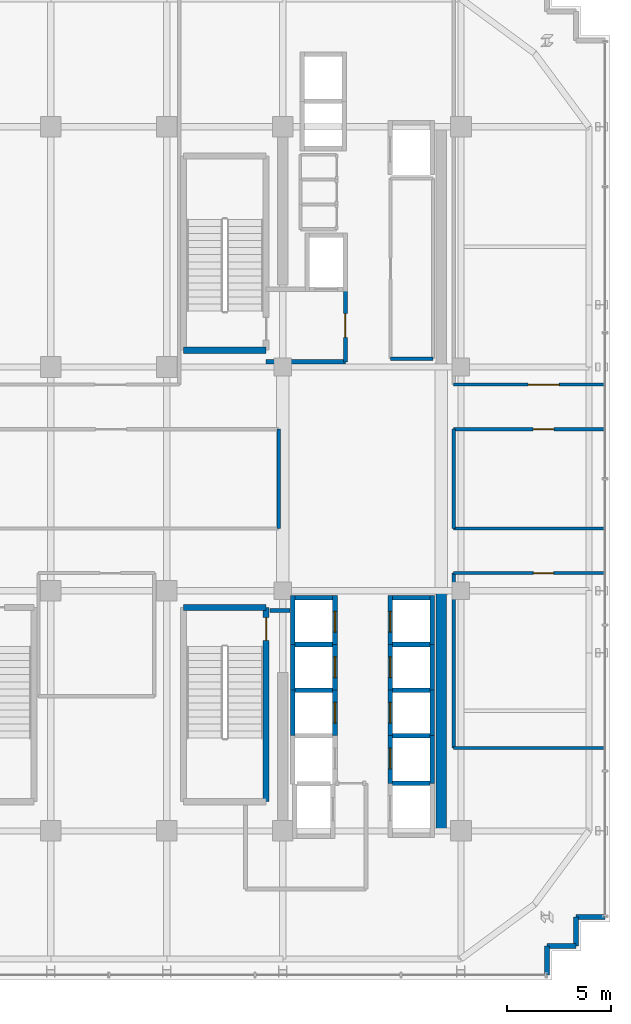
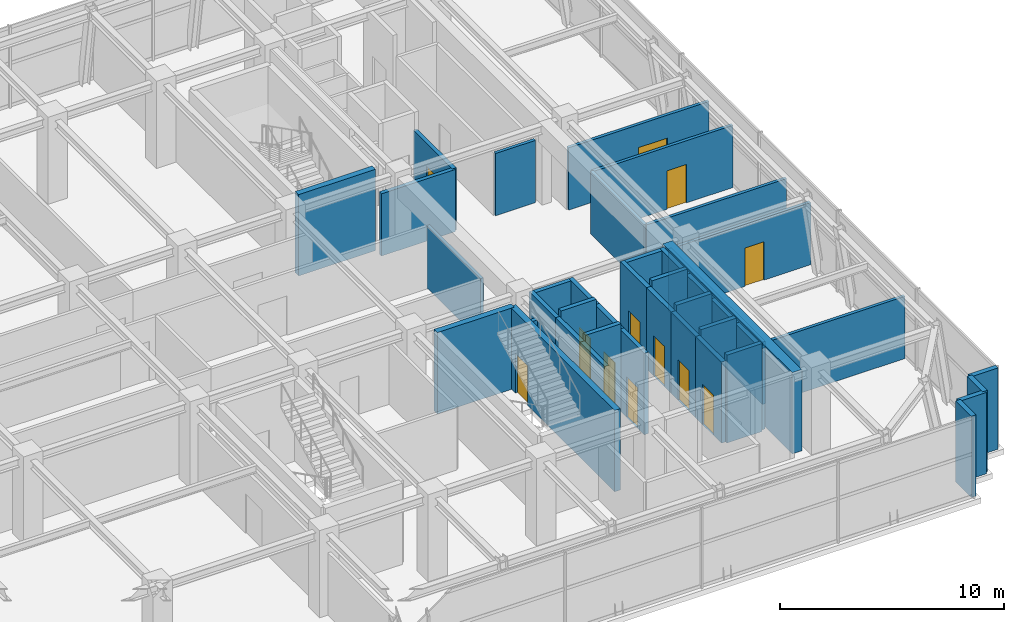
# One storey, part 22 of 28: 42 walls, 12 doors, 12 openings.
"""IFC4 building model written with IfcOpenShell, lengths in metres."""

from ifc_helpers import new_model, si_unit, direction, frame, frame_2d, origin, place, context, subcontext, project, spatial, rectangle, extrude, source, transform, mapped, material, layer, layer_set, type_object, element, fill, save


model = new_model("IFC4")

# Units and contexts
model_context = context("Model", 3, precision=1e-05, world=origin(), true_north=direction((0.0, 1.0)))
body_context = subcontext(model_context, "Body", "Model", "MODEL_VIEW")
ifc_project = project(units=[si_unit("LENGTHUNIT", "METRE"), si_unit("AREAUNIT", "SQUARE_METRE"), si_unit("VOLUMEUNIT", "CUBIC_METRE"), si_unit("PLANEANGLEUNIT", "RADIAN"), si_unit("MASSUNIT", "GRAM", prefix="KILO")], contexts=[model_context])

# Site, building, storey
site_placement = place(None, origin())
site = spatial("IfcSite", under=ifc_project, at=site_placement, CompositionType="ELEMENT")
building_placement = place(site_placement, origin())
building = spatial("IfcBuilding", under=site, at=building_placement, Name="Nahalor Promenade Grand Hotel", CompositionType="ELEMENT")
storey_placement = place(building_placement, frame((0.0, 0.0, 256.699951171875)))
storey = spatial("IfcBuildingStorey", under=building, at=storey_placement, Name="L66", CompositionType="ELEMENT", Elevation=256.699951171875)

# Walls
ifc_material_1 = material(Name="Concrete B-60 (C50/60)", Category="concrete")
ifc_layer_1 = layer(ifc_material_1, 0.5)
ifc_layer_set_1 = layer_set([ifc_layer_1], Name="Concrete B-60 (C50/60)")
wall_type_1 = type_object("IfcWallType", Name="Wall-CoreShear-500", PredefinedType="SHEAR", material=ifc_layer_set_1)
shared_shape_1 = source(origin(), body_context, "Body", "SweptSolid", [
    extrude(rectangle(XDim=11.60009765625, YDim=0.5, at=frame_2d((5.800048828125, 0.0))), origin(), (0.0, 0.0, 1.0), 4.43994140625),
])
wall_1_placement = place(storey_placement, frame((16.050048828125, -17.0, 0.0), z_axis=(0.0, 0.0, 1.0), x_axis=(0.0, 1.0, 0.0)))
element("IfcWall", 1, at=wall_1_placement, inside=storey, type_object=wall_type_1, Name="CWALL-L66-SE", PredefinedType="SHEAR", context=body_context, shape_type="MappedRepresentation", body=[
    mapped(shared_shape_1, transform((0.0, 0.0, 0.0), scale=1.0)),
])
ifc_material_2 = material(Name="Concrete B-50 (C40/50)", Category="concrete")
ifc_layer_2 = layer(ifc_material_2, 0.300048828125)
ifc_layer_set_2 = layer_set([ifc_layer_2], Name="Concrete B-50 (C40/50)")
wall_type_2 = type_object("IfcWallType", Name="Wall-ShaftShear-300", PredefinedType="SHEAR", material=ifc_layer_set_2)
shared_shape_2 = source(origin(), body_context, "Body", "SweptSolid", [
    extrude(rectangle(XDim=3.97998046875, YDim=0.300048828125, at=frame_2d((1.989990234375, 0.0))), origin(), (0.0, 0.0, 1.0), 4.43994140625),
])
for number, where, z_axis, x_axis, name in (
    (2, (3.610107421875, 6.2099609375, 0.0), (0.0, 0.0, 1.0), (1.0, 0.0, 0.0), "L66 Exit Stair ST1 Shaft Wall S"),
    (3, (3.610107421875, -6.2099609375, 0.0), (0.0, 0.0, 1.0), (1.0, 0.0, 0.0), "L66 Exit Stair ST2 Shaft Wall N"),
):
    element("IfcWall", number, at=place(storey_placement, frame(where, z_axis=z_axis, x_axis=x_axis)), inside=storey, type_object=wall_type_2, Name=name, PredefinedType="SHEAR", context=body_context, shape_type="MappedRepresentation", body=[
        mapped(shared_shape_2, transform((0.0, 0.0, 0.0), scale=1.0)),
    ])

# Wall, opening, door
shared_shape_3 = source(origin(), body_context, "Body", "SweptSolid", [
    extrude(rectangle(XDim=9.380126953125, YDim=0.300048828125, at=frame_2d((4.68994140625, 0.0))), origin(), (0.0, 0.0, 1.0), 4.43994140625),
])
wall_2_placement = place(storey_placement, frame((7.590087890625, -15.590087890625, 0.0), z_axis=(0.0, 0.0, 1.0), x_axis=(0.0, 1.0, 0.0)))
wall_2 = element("IfcWall", 4, at=wall_2_placement, inside=storey, type_object=wall_type_2, Name="L66 Exit Stair ST2 Shaft Wall E", PredefinedType="SHEAR", context=body_context, shape_type="MappedRepresentation", body=[
    mapped(shared_shape_3, transform((0.0, 0.0, 0.0), scale=1.0)),
])
opening_1_placement = place(wall_2_placement, frame((7.7900390625, 0.0, 0.0)))
opening_1 = element("IfcOpeningElement", 5, at=opening_1_placement, cuts=wall_2, Name="Opening D-ST1", PredefinedType="OPENING", context=body_context, shape_type="SweptSolid", body=[
    extrude(rectangle(XDim=1.10009765625, YDim=2.14990234375, at=frame_2d((0.550048828125, 1.074951171875))), frame((0.0, 0.159912109375, 0.0), z_axis=(0.0, -1.0, 0.0), x_axis=(1.0, 0.0, 0.0)), (0.0, 0.0, 1.0), 0.320068359375),
])
ifc_material_3 = material(Name="Steel S355JR", Category="steel")
door_type_1 = type_object("IfcDoorType", Name="Door-StairFire-1100", OperationType="NOTDEFINED", PredefinedType="DOOR", material=ifc_material_3)
shared_shape_4 = source(origin(), body_context, "Body", "SweptSolid", [
    extrude(rectangle(XDim=1.10009765625, YDim=2.14990234375, at=frame_2d((0.550048828125, 1.074951171875))), frame((0.0, 0.02490234375, 0.0), z_axis=(0.0, -1.0, 0.0), x_axis=(1.0, 0.0, 0.0)), (0.0, 0.0, 1.0), 0.050048828125),
])
door_1_placement = place(opening_1_placement, origin())
door_1 = element("IfcDoor", 6, at=door_1_placement, inside=storey, type_object=door_type_1, Name="DR-STAIR-ST2-L66", OperationType="SINGLE_SWING_LEFT", OverallHeight=2.14990234375, OverallWidth=1.10009765625, PredefinedType="DOOR", context=body_context, shape_type="MappedRepresentation", body=[
    mapped(shared_shape_4, transform((0.0, 0.0, 0.0), scale=1.0)),
])
fill(opening_1, door_1)

# Walls
ifc_layer_3 = layer(ifc_material_2, 0.219970703125)
ifc_layer_set_3 = layer_set([ifc_layer_3], Name="Concrete B-50 (C40/50)")
wall_type_3 = type_object("IfcWallType", Name="Wall-LiftShaft-220", PredefinedType="SHEAR", material=ifc_layer_set_3)
shared_shape_5 = source(origin(), body_context, "Body", "SweptSolid", [
    extrude(rectangle(XDim=1.820068359375, YDim=0.219970703125, at=frame_2d((0.91015625, 0.0))), origin(), (0.0, 0.0, 1.0), 4.800048828125),
])
for number, where, z_axis, x_axis, name in (
    (7, (13.68994140625, -8.0, 0.0), (0.0, 0.0, 1.0), (1.0, 0.0, 0.0), "L66 Lift PL6 Hoistway Wall N"),
    (8, (13.68994140625, -10.199951171875, 0.0), (0.0, 0.0, 1.0), (1.0, 0.0, 0.0), "L66 Lift PL7 Hoistway Wall N"),
    (9, (13.68994140625, -12.39990234375, 0.0), (0.0, 0.0, 1.0), (1.0, 0.0, 0.0), "L66 Lift PL8 Hoistway Wall N"),
    (10, (8.989990234375, -8.0, 0.0), (0.0, 0.0, 1.0), (1.0, 0.0, 0.0), "L66 Lift PL10 Hoistway Wall N"),
    (11, (8.989990234375, -10.199951171875, 0.0), (0.0, 0.0, 1.0), (1.0, 0.0, 0.0), "L66 Lift PL11 Hoistway Wall N"),
    (12, (13.68994140625, -14.699951171875, 0.0), (0.0, 0.0, 1.0), (1.0, 0.0, 0.0), "L66 Lift SV2 Hoistway Wall N"),
):
    element("IfcWall", number, at=place(storey_placement, frame(where, z_axis=z_axis, x_axis=x_axis)), inside=storey, type_object=wall_type_3, Name=name, PredefinedType="SHEAR", context=body_context, shape_type="MappedRepresentation", body=[
        mapped(shared_shape_5, transform((0.0, 0.0, 0.0), scale=1.0)),
    ])

# Wall, opening, door
shared_shape_6 = source(origin(), body_context, "Body", "SweptSolid", [
    extrude(rectangle(XDim=2.360107421875, YDim=0.219970703125, at=frame_2d((1.18017578125, 0.0))), origin(), (0.0, 0.0, 1.0), 4.43994140625),
])
wall_3_placement = place(storey_placement, frame((13.580078125, -8.0, 0.0), z_axis=(0.0, 0.0, 1.0), x_axis=(0.0, 1.0, 0.0)))
wall_3 = element("IfcWall", 13, at=wall_3_placement, inside=storey, type_object=wall_type_3, Name="L66 Lift PL5 Hoistway Wall W", PredefinedType="SHEAR", context=body_context, shape_type="MappedRepresentation", body=[
    mapped(shared_shape_6, transform((0.0, 0.0, 0.0), scale=1.0)),
])
opening_2_placement = place(wall_3_placement, frame((0.60009765625, 0.0, 0.0)))
opening_2 = element("IfcOpeningElement", 14, at=opening_2_placement, cuts=wall_3, Name="Opening LD-01", PredefinedType="OPENING", context=body_context, shape_type="SweptSolid", body=[
    extrude(rectangle(XDim=1.0, YDim=2.199951171875, at=frame_2d((0.5, 1.10009765625))), frame((0.0, 0.119873046875, 0.0), z_axis=(0.0, -1.0, 0.0), x_axis=(1.0, 0.0, 0.0)), (0.0, 0.0, 1.0), 0.239990234375),
])
door_type_2 = type_object("IfcDoorType", Name="Door-LiftLanding-1000", OperationType="DOUBLE_DOOR_SLIDING", PredefinedType="DOOR", material=ifc_material_3)
shared_shape_7 = source(origin(), body_context, "Body", "SweptSolid", [
    extrude(rectangle(XDim=1.0, YDim=2.199951171875, at=frame_2d((0.5, 1.10009765625))), frame((0.0, 0.02490234375, 0.0), z_axis=(0.0, -1.0, 0.0), x_axis=(1.0, 0.0, 0.0)), (0.0, 0.0, 1.0), 0.050048828125),
])
door_2_placement = place(opening_2_placement, origin())
door_2 = element("IfcDoor", 15, at=door_2_placement, inside=storey, type_object=door_type_2, Name="DR-LIFT-PL5-L66", OperationType="DOUBLE_DOOR_SLIDING", OverallHeight=2.199951171875, OverallWidth=1.0, PredefinedType="DOOR", context=body_context, shape_type="MappedRepresentation", body=[
    mapped(shared_shape_7, transform((0.0, 0.0, 0.0), scale=1.0)),
])
fill(opening_2, door_2)

# Walls
for number, where, z_axis, x_axis, name in (
    (16, (15.6201171875, -8.0, 0.0), (0.0, 0.0, 1.0), (0.0, 1.0, 0.0), "L66 Lift PL5 Hoistway Wall E"),
    (17, (8.8798828125, -8.0, 0.0), (0.0, 0.0, 1.0), (0.0, 1.0, 0.0), "L66 Lift PL9 Hoistway Wall W"),
):
    element("IfcWall", number, at=place(storey_placement, frame(where, z_axis=z_axis, x_axis=x_axis)), inside=storey, type_object=wall_type_3, Name=name, PredefinedType="SHEAR", context=body_context, shape_type="MappedRepresentation", body=[
        mapped(shared_shape_6, transform((0.0, 0.0, 0.0), scale=1.0)),
    ])

# Wall, opening, door
wall_4_placement = place(storey_placement, frame((10.919921875, -8.0, 0.0), z_axis=(0.0, 0.0, 1.0), x_axis=(0.0, 1.0, 0.0)))
wall_4 = element("IfcWall", 18, at=wall_4_placement, inside=storey, type_object=wall_type_3, Name="L66 Lift PL9 Hoistway Wall E", PredefinedType="SHEAR", context=body_context, shape_type="MappedRepresentation", body=[
    mapped(shared_shape_6, transform((0.0, 0.0, 0.0), scale=1.0)),
])
opening_3_placement = place(wall_4_placement, frame((0.60009765625, 0.0, 0.0)))
opening_3 = element("IfcOpeningElement", 19, at=opening_3_placement, cuts=wall_4, Name="Opening LD-01", PredefinedType="OPENING", context=body_context, shape_type="SweptSolid", body=[
    extrude(rectangle(XDim=1.0, YDim=2.199951171875, at=frame_2d((0.5, 1.10009765625))), frame((0.0, 0.119873046875, 0.0), z_axis=(0.0, -1.0, 0.0), x_axis=(1.0, 0.0, 0.0)), (0.0, 0.0, 1.0), 0.239990234375),
])
door_3_placement = place(opening_3_placement, frame((1.0, 0.0, 0.0), z_axis=(0.0, 0.0, 1.0), x_axis=(-1.0, 0.0, 0.0)))
door_3 = element("IfcDoor", 20, at=door_3_placement, inside=storey, type_object=door_type_2, Name="DR-LIFT-PL9-L66", OperationType="DOUBLE_DOOR_SLIDING", OverallHeight=2.199951171875, OverallWidth=1.0, PredefinedType="DOOR", context=body_context, shape_type="MappedRepresentation", body=[
    mapped(shared_shape_7, transform((0.0, 0.0, 0.0), scale=1.0)),
])
fill(opening_3, door_3)

# Walls
shared_shape_8 = source(origin(), body_context, "Body", "SweptSolid", [
    extrude(rectangle(XDim=1.820068359375, YDim=0.219970703125, at=frame_2d((0.91015625, 0.0))), origin(), (0.0, 0.0, 1.0), 4.43994140625),
])
for number, where, z_axis, x_axis, name in (
    (21, (13.68994140625, -5.75, 0.0), (0.0, 0.0, 1.0), (1.0, 0.0, 0.0), "L66 Lift PL5 Hoistway Wall N"),
    (22, (8.989990234375, -5.75, 0.0), (0.0, 0.0, 1.0), (1.0, 0.0, 0.0), "L66 Lift PL9 Hoistway Wall N"),
):
    element("IfcWall", number, at=place(storey_placement, frame(where, z_axis=z_axis, x_axis=x_axis)), inside=storey, type_object=wall_type_3, Name=name, PredefinedType="SHEAR", context=body_context, shape_type="MappedRepresentation", body=[
        mapped(shared_shape_8, transform((0.0, 0.0, 0.0), scale=1.0)),
    ])

# Wall, opening, door
shared_shape_9 = source(origin(), body_context, "Body", "SweptSolid", [
    extrude(rectangle(XDim=2.199951171875, YDim=0.219970703125, at=frame_2d((1.10009765625, 0.0))), origin(), (0.0, 0.0, 1.0), 4.43994140625),
])
wall_5_placement = place(storey_placement, frame((13.580078125, -10.199951171875, 0.0), z_axis=(0.0, 0.0, 1.0), x_axis=(0.0, 1.0, 0.0)))
wall_5 = element("IfcWall", 23, at=wall_5_placement, inside=storey, type_object=wall_type_3, Name="L66 Lift PL6 Hoistway Wall W", PredefinedType="SHEAR", context=body_context, shape_type="MappedRepresentation", body=[
    mapped(shared_shape_9, transform((0.0, 0.0, 0.0), scale=1.0)),
])
opening_4_placement = place(wall_5_placement, frame((0.60009765625, 0.0, 0.0)))
opening_4 = element("IfcOpeningElement", 24, at=opening_4_placement, cuts=wall_5, Name="Opening LD-01", PredefinedType="OPENING", context=body_context, shape_type="SweptSolid", body=[
    extrude(rectangle(XDim=1.0, YDim=2.199951171875, at=frame_2d((0.5, 1.10009765625))), frame((0.0, 0.119873046875, 0.0), z_axis=(0.0, -1.0, 0.0), x_axis=(1.0, 0.0, 0.0)), (0.0, 0.0, 1.0), 0.239990234375),
])
door_4_placement = place(opening_4_placement, origin())
door_4 = element("IfcDoor", 25, at=door_4_placement, inside=storey, type_object=door_type_2, Name="DR-LIFT-PL6-L66", OperationType="DOUBLE_DOOR_SLIDING", OverallHeight=2.199951171875, OverallWidth=1.0, PredefinedType="DOOR", context=body_context, shape_type="MappedRepresentation", body=[
    mapped(shared_shape_7, transform((0.0, 0.0, 0.0), scale=1.0)),
])
fill(opening_4, door_4)

# Wall
wall_6_placement = place(storey_placement, frame((15.6201171875, -10.199951171875, 0.0), z_axis=(0.0, 0.0, 1.0), x_axis=(0.0, 1.0, 0.0)))
element("IfcWall", 26, at=wall_6_placement, inside=storey, type_object=wall_type_3, Name="L66 Lift PL6 Hoistway Wall E", PredefinedType="SHEAR", context=body_context, shape_type="MappedRepresentation", body=[
    mapped(shared_shape_9, transform((0.0, 0.0, 0.0), scale=1.0)),
])

# Wall, opening, door
wall_7_placement = place(storey_placement, frame((13.580078125, -12.39990234375, 0.0), z_axis=(0.0, 0.0, 1.0), x_axis=(0.0, 1.0, 0.0)))
wall_7 = element("IfcWall", 27, at=wall_7_placement, inside=storey, type_object=wall_type_3, Name="L66 Lift PL7 Hoistway Wall W", PredefinedType="SHEAR", context=body_context, shape_type="MappedRepresentation", body=[
    mapped(shared_shape_9, transform((0.0, 0.0, 0.0), scale=1.0)),
])
opening_5_placement = place(wall_7_placement, frame((0.60009765625, 0.0, 0.0)))
opening_5 = element("IfcOpeningElement", 28, at=opening_5_placement, cuts=wall_7, Name="Opening LD-01", PredefinedType="OPENING", context=body_context, shape_type="SweptSolid", body=[
    extrude(rectangle(XDim=1.0, YDim=2.199951171875, at=frame_2d((0.5, 1.10009765625))), frame((0.0, 0.119873046875, 0.0), z_axis=(0.0, -1.0, 0.0), x_axis=(1.0, 0.0, 0.0)), (0.0, 0.0, 1.0), 0.239990234375),
])
door_5_placement = place(opening_5_placement, origin())
door_5 = element("IfcDoor", 29, at=door_5_placement, inside=storey, type_object=door_type_2, Name="DR-LIFT-PL7-L66", OperationType="DOUBLE_DOOR_SLIDING", OverallHeight=2.199951171875, OverallWidth=1.0, PredefinedType="DOOR", context=body_context, shape_type="MappedRepresentation", body=[
    mapped(shared_shape_7, transform((0.0, 0.0, 0.0), scale=1.0)),
])
fill(opening_5, door_5)

# Walls
for number, where, z_axis, x_axis, name in (
    (30, (15.6201171875, -12.39990234375, 0.0), (0.0, 0.0, 1.0), (0.0, 1.0, 0.0), "L66 Lift PL7 Hoistway Wall E"),
    (31, (8.8798828125, -10.199951171875, 0.0), (0.0, 0.0, 1.0), (0.0, 1.0, 0.0), "L66 Lift PL10 Hoistway Wall W"),
):
    element("IfcWall", number, at=place(storey_placement, frame(where, z_axis=z_axis, x_axis=x_axis)), inside=storey, type_object=wall_type_3, Name=name, PredefinedType="SHEAR", context=body_context, shape_type="MappedRepresentation", body=[
        mapped(shared_shape_9, transform((0.0, 0.0, 0.0), scale=1.0)),
    ])

# Wall, opening, door
wall_8_placement = place(storey_placement, frame((10.919921875, -10.199951171875, 0.0), z_axis=(0.0, 0.0, 1.0), x_axis=(0.0, 1.0, 0.0)))
wall_8 = element("IfcWall", 32, at=wall_8_placement, inside=storey, type_object=wall_type_3, Name="L66 Lift PL10 Hoistway Wall E", PredefinedType="SHEAR", context=body_context, shape_type="MappedRepresentation", body=[
    mapped(shared_shape_9, transform((0.0, 0.0, 0.0), scale=1.0)),
])
opening_6_placement = place(wall_8_placement, frame((0.60009765625, 0.0, 0.0)))
opening_6 = element("IfcOpeningElement", 33, at=opening_6_placement, cuts=wall_8, Name="Opening LD-01", PredefinedType="OPENING", context=body_context, shape_type="SweptSolid", body=[
    extrude(rectangle(XDim=1.0, YDim=2.199951171875, at=frame_2d((0.5, 1.10009765625))), frame((0.0, 0.119873046875, 0.0), z_axis=(0.0, -1.0, 0.0), x_axis=(1.0, 0.0, 0.0)), (0.0, 0.0, 1.0), 0.239990234375),
])
door_6_placement = place(opening_6_placement, frame((1.0, 0.0, 0.0), z_axis=(0.0, 0.0, 1.0), x_axis=(-1.0, 0.0, 0.0)))
door_6 = element("IfcDoor", 34, at=door_6_placement, inside=storey, type_object=door_type_2, Name="DR-LIFT-PL10-L66", OperationType="DOUBLE_DOOR_SLIDING", OverallHeight=2.199951171875, OverallWidth=1.0, PredefinedType="DOOR", context=body_context, shape_type="MappedRepresentation", body=[
    mapped(shared_shape_7, transform((0.0, 0.0, 0.0), scale=1.0)),
])
fill(opening_6, door_6)

# Wall
wall_9_placement = place(storey_placement, frame((8.8798828125, -12.39990234375, 0.0), z_axis=(0.0, 0.0, 1.0), x_axis=(0.0, 1.0, 0.0)))
element("IfcWall", 35, at=wall_9_placement, inside=storey, type_object=wall_type_3, Name="L66 Lift PL11 Hoistway Wall W", PredefinedType="SHEAR", context=body_context, shape_type="MappedRepresentation", body=[
    mapped(shared_shape_9, transform((0.0, 0.0, 0.0), scale=1.0)),
])

# Wall, opening, door
wall_10_placement = place(storey_placement, frame((10.919921875, -12.39990234375, 0.0), z_axis=(0.0, 0.0, 1.0), x_axis=(0.0, 1.0, 0.0)))
wall_10 = element("IfcWall", 36, at=wall_10_placement, inside=storey, type_object=wall_type_3, Name="L66 Lift PL11 Hoistway Wall E", PredefinedType="SHEAR", context=body_context, shape_type="MappedRepresentation", body=[
    mapped(shared_shape_9, transform((0.0, 0.0, 0.0), scale=1.0)),
])
opening_7_placement = place(wall_10_placement, frame((0.60009765625, 0.0, 0.0)))
opening_7 = element("IfcOpeningElement", 37, at=opening_7_placement, cuts=wall_10, Name="Opening LD-01", PredefinedType="OPENING", context=body_context, shape_type="SweptSolid", body=[
    extrude(rectangle(XDim=1.0, YDim=2.199951171875, at=frame_2d((0.5, 1.10009765625))), frame((0.0, 0.119873046875, 0.0), z_axis=(0.0, -1.0, 0.0), x_axis=(1.0, 0.0, 0.0)), (0.0, 0.0, 1.0), 0.239990234375),
])
door_7_placement = place(opening_7_placement, frame((1.0, 0.0, 0.0), z_axis=(0.0, 0.0, 1.0), x_axis=(-1.0, 0.0, 0.0)))
door_7 = element("IfcDoor", 38, at=door_7_placement, inside=storey, type_object=door_type_2, Name="DR-LIFT-PL11-L66", OperationType="DOUBLE_DOOR_SLIDING", OverallHeight=2.199951171875, OverallWidth=1.0, PredefinedType="DOOR", context=body_context, shape_type="MappedRepresentation", body=[
    mapped(shared_shape_7, transform((0.0, 0.0, 0.0), scale=1.0)),
])
fill(opening_7, door_7)

shared_shape_10 = source(origin(), body_context, "Body", "SweptSolid", [
    extrude(rectangle(XDim=2.300048828125, YDim=0.219970703125, at=frame_2d((1.14990234375, 0.0))), origin(), (0.0, 0.0, 1.0), 4.43994140625),
])
wall_11_placement = place(storey_placement, frame((13.580078125, -14.699951171875, 0.0), z_axis=(0.0, 0.0, 1.0), x_axis=(0.0, 1.0, 0.0)))
wall_11 = element("IfcWall", 39, at=wall_11_placement, inside=storey, type_object=wall_type_3, Name="L66 Lift PL8 Hoistway Wall W", PredefinedType="SHEAR", context=body_context, shape_type="MappedRepresentation", body=[
    mapped(shared_shape_10, transform((0.0, 0.0, 0.0), scale=1.0)),
])
opening_8_placement = place(wall_11_placement, frame((0.699951171875, 0.0, 0.0)))
opening_8 = element("IfcOpeningElement", 40, at=opening_8_placement, cuts=wall_11, Name="Opening LD-01", PredefinedType="OPENING", context=body_context, shape_type="SweptSolid", body=[
    extrude(rectangle(XDim=1.0, YDim=2.199951171875, at=frame_2d((0.5, 1.10009765625))), frame((0.0, 0.119873046875, 0.0), z_axis=(0.0, -1.0, 0.0), x_axis=(1.0, 0.0, 0.0)), (0.0, 0.0, 1.0), 0.239990234375),
])
door_8_placement = place(opening_8_placement, origin())
door_8 = element("IfcDoor", 41, at=door_8_placement, inside=storey, type_object=door_type_2, Name="DR-LIFT-PL8-L66", OperationType="DOUBLE_DOOR_SLIDING", OverallHeight=2.199951171875, OverallWidth=1.0, PredefinedType="DOOR", context=body_context, shape_type="MappedRepresentation", body=[
    mapped(shared_shape_7, transform((0.0, 0.0, 0.0), scale=1.0)),
])
fill(opening_8, door_8)

# Walls
wall_12_placement = place(storey_placement, frame((15.6201171875, -14.699951171875, 0.0), z_axis=(0.0, 0.0, 1.0), x_axis=(0.0, 1.0, 0.0)))
element("IfcWall", 42, at=wall_12_placement, inside=storey, type_object=wall_type_3, Name="L66 Lift PL8 Hoistway Wall E", PredefinedType="SHEAR", context=body_context, shape_type="MappedRepresentation", body=[
    mapped(shared_shape_10, transform((0.0, 0.0, 0.0), scale=1.0)),
])
ifc_material_4 = material(Name="Concrete B-40 (C32/40)", Category="concrete")
ifc_layer_4 = layer(ifc_material_4, 0.25)
ifc_layer_set_4 = layer_set([ifc_layer_4], Name="Concrete B-40 (C32/40)")
wall_type_4 = type_object("IfcWallType", Name="Wall-BronzePier-250", PredefinedType="STANDARD", material=ifc_layer_set_4)
shared_shape_11 = source(origin(), body_context, "Body", "SweptSolid", [
    extrude(rectangle(XDim=1.39990234375, YDim=0.25, at=frame_2d((0.699951171875, 0.0))), origin(), (0.0, 0.0, 1.0), 4.43994140625),
])
for number, where, z_axis, x_axis, name in (
    (43, (21.159912109375, -23.9599609375, 0.0), (0.0, 0.0, 1.0), (0.0, 1.0, 0.0), "W-L66-SR-01"),
    (44, (22.56005859375, -21.159912109375, 0.0), (0.0, 0.0, 1.0), (1.0, 0.0, 0.0), "W-L66-SR-04"),
):
    element("IfcWall", number, at=place(storey_placement, frame(where, z_axis=z_axis, x_axis=x_axis)), inside=storey, type_object=wall_type_4, Name=name, PredefinedType="STANDARD", context=body_context, shape_type="MappedRepresentation", body=[
        mapped(shared_shape_11, transform((0.0, 0.0, 0.0), scale=1.0)),
    ])
shared_shape_12 = source(origin(), body_context, "Body", "SweptSolid", [
    extrude(rectangle(XDim=1.400146484375, YDim=0.25, at=frame_2d((0.7001953125, 0.0))), origin(), (0.0, 0.0, 1.0), 4.43994140625),
])
for number, where, z_axis, x_axis, name in (
    (45, (21.159912109375, -22.56005859375, 0.0), (0.0, 0.0, 1.0), (1.0, 0.0, 0.0), "W-L66-SR-02"),
    (46, (22.56005859375, -22.56005859375, 0.0), (0.0, 0.0, 1.0), (0.0, 1.0, 0.0), "W-L66-SR-03"),
):
    element("IfcWall", number, at=place(storey_placement, frame(where, z_axis=z_axis, x_axis=x_axis)), inside=storey, type_object=wall_type_4, Name=name, PredefinedType="STANDARD", context=body_context, shape_type="MappedRepresentation", body=[
        mapped(shared_shape_12, transform((0.0, 0.0, 0.0), scale=1.0)),
    ])
ifc_layer_5 = layer(ifc_material_4, 0.199951171875)
ifc_layer_set_5 = layer_set([ifc_layer_5], Name="Concrete B-40 (C32/40)")
wall_type_5 = type_object("IfcWallType", Name="Wall-PartFire-200", PredefinedType="PARTITIONING", material=ifc_layer_set_5)
shared_shape_13 = source(origin(), body_context, "Body", "SweptSolid", [
    extrude(rectangle(XDim=3.81982421875, YDim=0.199951171875, at=frame_2d((1.909912109375, 0.0))), origin(), (0.0, 0.0, 1.0), 3.400146484375),
])
wall_13_placement = place(storey_placement, frame((7.60009765625, 5.64990234375, 0.0), z_axis=(0.0, 0.0, 1.0), x_axis=(1.0, 0.0, 0.0)))
element("IfcWall", 47, at=wall_13_placement, inside=storey, type_object=wall_type_5, Name="W-L66-FF1-S", PredefinedType="PARTITIONING", context=body_context, shape_type="MappedRepresentation", body=[
    mapped(shared_shape_13, transform((0.0, 0.0, 0.0), scale=1.0)),
])

# Wall, opening, door
shared_shape_14 = source(origin(), body_context, "Body", "SweptSolid", [
    extrude(rectangle(XDim=3.5, YDim=0.199951171875, at=frame_2d((1.75, 0.0))), origin(), (0.0, 0.0, 1.0), 3.400146484375),
])
wall_14_placement = place(storey_placement, frame((11.419921875, 5.64990234375, 0.0), z_axis=(0.0, 0.0, 1.0), x_axis=(0.0, 1.0, 0.0)))
wall_14 = element("IfcWall", 48, at=wall_14_placement, inside=storey, type_object=wall_type_5, Name="W-L66-FF1-E", PredefinedType="PARTITIONING", context=body_context, shape_type="MappedRepresentation", body=[
    mapped(shared_shape_14, transform((0.0, 0.0, 0.0), scale=1.0)),
])
opening_9_placement = place(wall_14_placement, frame((1.175048828125, 0.0, 0.0)))
opening_9 = element("IfcOpeningElement", 49, at=opening_9_placement, cuts=wall_14, Name="Opening D-FF1", PredefinedType="OPENING", context=body_context, shape_type="SweptSolid", body=[
    extrude(rectangle(XDim=1.14990234375, YDim=2.14990234375, at=frame_2d((0.574951171875, 1.074951171875))), frame((0.0, 0.10986328125, 0.0), z_axis=(0.0, -1.0, 0.0), x_axis=(1.0, 0.0, 0.0)), (0.0, 0.0, 1.0), 0.219970703125),
])
door_type_3 = type_object("IfcDoorType", Name="Door-FFLobby-1150", OperationType="NOTDEFINED", PredefinedType="DOOR", material=ifc_material_3)
shared_shape_15 = source(origin(), body_context, "Body", "SweptSolid", [
    extrude(rectangle(XDim=1.14990234375, YDim=2.14990234375, at=frame_2d((0.574951171875, 1.074951171875))), frame((0.0, 0.02490234375, 0.0), z_axis=(0.0, -1.0, 0.0), x_axis=(1.0, 0.0, 0.0)), (0.0, 0.0, 1.0), 0.050048828125),
])
door_9_placement = place(opening_9_placement, frame((1.14990234375, 0.0, 0.0), z_axis=(0.0, 0.0, 1.0), x_axis=(-1.0, 0.0, 0.0)))
door_9 = element("IfcDoor", 50, at=door_9_placement, inside=storey, type_object=door_type_3, Name="DR-L66-FFL1", OperationType="SINGLE_SWING_LEFT", OverallHeight=2.14990234375, OverallWidth=1.14990234375, PredefinedType="DOOR", context=body_context, shape_type="MappedRepresentation", body=[
    mapped(shared_shape_15, transform((0.0, 0.0, 0.0), scale=1.0)),
])
fill(opening_9, door_9)

# Walls
shared_shape_16 = source(origin(), body_context, "Body", "SweptSolid", [
    extrude(rectangle(XDim=0.969970703125, YDim=0.199951171875, at=frame_2d((0.48486328125, 0.0))), origin(), (0.0, 0.0, 1.0), 3.400146484375),
])
wall_15_placement = place(storey_placement, frame((7.77001953125, -6.35009765625, 0.0), z_axis=(0.0, 0.0, 1.0), x_axis=(1.0, 0.0, 0.0)))
element("IfcWall", 51, at=wall_15_placement, inside=storey, type_object=wall_type_5, Name="W-L66-FF2-N2", PredefinedType="PARTITIONING", context=body_context, shape_type="MappedRepresentation", body=[
    mapped(shared_shape_16, transform((0.0, 0.0, 0.0), scale=1.0)),
])
ifc_material_5 = material(Name="Acoustic Mineral Gypsum", Category="gypsum")
ifc_layer_6 = layer(ifc_material_5, 0.159912109375)
ifc_layer_set_6 = layer_set([ifc_layer_6], Name="Acoustic Mineral Gypsum")
wall_type_6 = type_object("IfcWallType", Name="Wall-PartCorridor-160", PredefinedType="PARTITIONING", material=ifc_layer_set_6)
shared_shape_17 = source(origin(), body_context, "Body", "SweptSolid", [
    extrude(rectangle(XDim=4.7998046875, YDim=0.159912109375, at=frame_2d((2.39990234375, 0.0))), origin(), (0.0, 0.0, 1.0), 3.400146484375),
])
for number, where, z_axis, x_axis, name in (
    (52, (8.199951171875, -2.39990234375, 0.0), (0.0, 0.0, 1.0), (0.0, 1.0, 0.0), "W-L66-SK02-E"),
    (53, (16.64990234375, -2.39990234375, 0.0), (0.0, 0.0, 1.0), (0.0, 1.0, 0.0), "W-L66-SK03-W"),
):
    element("IfcWall", number, at=place(storey_placement, frame(where, z_axis=z_axis, x_axis=x_axis)), inside=storey, type_object=wall_type_6, Name=name, PredefinedType="PARTITIONING", context=body_context, shape_type="MappedRepresentation", body=[
        mapped(shared_shape_17, transform((0.0, 0.0, 0.0), scale=1.0)),
    ])
shared_shape_18 = source(origin(), body_context, "Body", "SweptSolid", [
    extrude(rectangle(XDim=8.449951171875, YDim=0.159912109375, at=frame_2d((4.22509765625, 0.0))), origin(), (0.0, 0.0, 1.0), 3.400146484375),
])
wall_16_placement = place(storey_placement, frame((16.64990234375, -13.0, 0.0), z_axis=(0.0, 0.0, 1.0), x_axis=(0.0, 1.0, 0.0)))
element("IfcWall", 54, at=wall_16_placement, inside=storey, type_object=wall_type_6, Name="W-L66-SK08-W", PredefinedType="PARTITIONING", context=body_context, shape_type="MappedRepresentation", body=[
    mapped(shared_shape_18, transform((0.0, 0.0, 0.0), scale=1.0)),
])
shared_shape_19 = source(origin(), body_context, "Body", "SweptSolid", [
    extrude(rectangle(XDim=2.0498046875, YDim=0.159912109375, at=frame_2d((1.02490234375, 0.0))), origin(), (0.0, 0.0, 1.0), 3.400146484375),
])
wall_17_placement = place(storey_placement, frame((13.60009765625, 5.800048828125, 0.0), z_axis=(0.0, 0.0, 1.0), x_axis=(1.0, 0.0, 0.0)))
element("IfcWall", 55, at=wall_17_placement, inside=storey, type_object=wall_type_6, Name="W-L66-FRB1-S", PredefinedType="PARTITIONING", context=body_context, shape_type="MappedRepresentation", body=[
    mapped(shared_shape_19, transform((0.0, 0.0, 0.0), scale=1.0)),
])
shared_shape_20 = source(origin(), body_context, "Body", "SweptSolid", [
    extrude(rectangle(XDim=7.25, YDim=0.159912109375, at=frame_2d((3.625, 0.0))), origin(), (0.0, 0.0, 1.0), 3.400146484375),
])
wall_18_placement = place(storey_placement, frame((16.64990234375, -2.39990234375, 0.0), z_axis=(0.0, 0.0, 1.0), x_axis=(1.0, 0.0, 0.0)))
element("IfcWall", 56, at=wall_18_placement, inside=storey, type_object=wall_type_6, Name="W-L66-SK03-S", PredefinedType="PARTITIONING", context=body_context, shape_type="MappedRepresentation", body=[
    mapped(shared_shape_20, transform((0.0, 0.0, 0.0), scale=1.0)),
])

# Wall, opening, door
wall_19_placement = place(storey_placement, frame((16.64990234375, 2.39990234375, 0.0), z_axis=(0.0, 0.0, 1.0), x_axis=(1.0, 0.0, 0.0)))
wall_19 = element("IfcWall", 57, at=wall_19_placement, inside=storey, type_object=wall_type_6, Name="W-L66-SK03-N", PredefinedType="PARTITIONING", context=body_context, shape_type="MappedRepresentation", body=[
    mapped(shared_shape_20, transform((0.0, 0.0, 0.0), scale=1.0)),
])
opening_10_placement = place(wall_19_placement, frame((3.841064453125, 0.0, 0.0)))
opening_10 = element("IfcOpeningElement", 58, at=opening_10_placement, cuts=wall_19, Name="Opening D-04", PredefinedType="OPENING", context=body_context, shape_type="SweptSolid", body=[
    extrude(rectangle(XDim=1.0, YDim=2.10009765625, at=frame_2d((0.5, 1.050048828125))), frame((0.0, 0.08984375, 0.0), z_axis=(0.0, -1.0, 0.0), x_axis=(1.0, 0.0, 0.0)), (0.0, 0.0, 1.0), 0.179931640625),
])
door_type_4 = type_object("IfcDoorType", Name="Door-ServiceFire-1000", OperationType="NOTDEFINED", PredefinedType="DOOR", material=ifc_material_3)
shared_shape_21 = source(origin(), body_context, "Body", "SweptSolid", [
    extrude(rectangle(XDim=1.0, YDim=2.10009765625, at=frame_2d((0.5, 1.050048828125))), frame((0.0, 0.02490234375, 0.0), z_axis=(0.0, -1.0, 0.0), x_axis=(1.0, 0.0, 0.0)), (0.0, 0.0, 1.0), 0.050048828125),
])
door_10_placement = place(opening_10_placement, frame((1.0, 0.0, 0.0), z_axis=(0.0, 0.0, 1.0), x_axis=(-1.0, 0.0, 0.0)))
door_10 = element("IfcDoor", 59, at=door_10_placement, inside=storey, type_object=door_type_4, Name="DR-L66-SK03", OperationType="SINGLE_SWING_LEFT", OverallHeight=2.10009765625, OverallWidth=1.0, PredefinedType="DOOR", context=body_context, shape_type="MappedRepresentation", body=[
    mapped(shared_shape_21, transform((0.0, 0.0, 0.0), scale=1.0)),
])
fill(opening_10, door_10)

wall_20_placement = place(storey_placement, frame((16.64990234375, 4.550048828125, 0.0), z_axis=(0.0, 0.0, 1.0), x_axis=(1.0, 0.0, 0.0)))
wall_20 = element("IfcWall", 60, at=wall_20_placement, inside=storey, type_object=wall_type_6, Name="W-L66-SK07-S", PredefinedType="PARTITIONING", context=body_context, shape_type="MappedRepresentation", body=[
    mapped(shared_shape_20, transform((0.0, 0.0, 0.0), scale=1.0)),
])
opening_11_placement = place(wall_20_placement, frame((3.591064453125, 0.0, 0.0)))
opening_11 = element("IfcOpeningElement", 61, at=opening_11_placement, cuts=wall_20, Name="Opening D-02", PredefinedType="OPENING", context=body_context, shape_type="SweptSolid", body=[
    extrude(rectangle(XDim=1.5, YDim=2.14990234375, at=frame_2d((0.75, 1.074951171875))), frame((0.0, 0.08984375, 0.0), z_axis=(0.0, -1.0, 0.0), x_axis=(1.0, 0.0, 0.0)), (0.0, 0.0, 1.0), 0.179931640625),
])
ifc_material_6 = material(Name="Fire-Rated Timber Composite", Category="wood")
door_type_5 = type_object("IfcDoorType", Name="Door-SuiteDouble-1500", OperationType="DOUBLE_DOOR_SINGLE_SWING", PredefinedType="DOOR", material=ifc_material_6)
shared_shape_22 = source(origin(), body_context, "Body", "SweptSolid", [
    extrude(rectangle(XDim=1.5, YDim=2.14990234375, at=frame_2d((0.75, 1.074951171875))), frame((0.0, 0.02490234375, 0.0), z_axis=(0.0, -1.0, 0.0), x_axis=(1.0, 0.0, 0.0)), (0.0, 0.0, 1.0), 0.050048828125),
])
door_11_placement = place(opening_11_placement, origin())
door_11 = element("IfcDoor", 62, at=door_11_placement, inside=storey, type_object=door_type_5, Name="DR-L66-SK07", OperationType="DOUBLE_DOOR_SINGLE_SWING", OverallHeight=2.14990234375, OverallWidth=1.5, PredefinedType="DOOR", context=body_context, shape_type="MappedRepresentation", body=[
    mapped(shared_shape_22, transform((0.0, 0.0, 0.0), scale=1.0)),
])
fill(opening_11, door_11)

# Wall
wall_21_placement = place(storey_placement, frame((16.64990234375, -13.0, 0.0), z_axis=(0.0, 0.0, 1.0), x_axis=(1.0, 0.0, 0.0)))
element("IfcWall", 63, at=wall_21_placement, inside=storey, type_object=wall_type_6, Name="W-L66-SK08-S", PredefinedType="PARTITIONING", context=body_context, shape_type="MappedRepresentation", body=[
    mapped(shared_shape_20, transform((0.0, 0.0, 0.0), scale=1.0)),
])

# Wall, opening, door
wall_22_placement = place(storey_placement, frame((16.64990234375, -4.550048828125, 0.0), z_axis=(0.0, 0.0, 1.0), x_axis=(1.0, 0.0, 0.0)))
wall_22 = element("IfcWall", 64, at=wall_22_placement, inside=storey, type_object=wall_type_6, Name="W-L66-SK08-N", PredefinedType="PARTITIONING", context=body_context, shape_type="MappedRepresentation", body=[
    mapped(shared_shape_20, transform((0.0, 0.0, 0.0), scale=1.0)),
])
opening_12_placement = place(wall_22_placement, frame((3.85107421875, 0.0, 0.0)))
opening_12 = element("IfcOpeningElement", 65, at=opening_12_placement, cuts=wall_22, Name="Opening D-05", PredefinedType="OPENING", context=body_context, shape_type="SweptSolid", body=[
    extrude(rectangle(XDim=0.97998046875, YDim=2.10009765625, at=frame_2d((0.489990234375, 1.050048828125))), frame((0.0, 0.08984375, 0.0), z_axis=(0.0, -1.0, 0.0), x_axis=(1.0, 0.0, 0.0)), (0.0, 0.0, 1.0), 0.179931640625),
])
door_type_6 = type_object("IfcDoorType", Name="Door-AccessibleWC-980", OperationType="NOTDEFINED", PredefinedType="DOOR", material=ifc_material_6)
shared_shape_23 = source(origin(), body_context, "Body", "SweptSolid", [
    extrude(rectangle(XDim=0.97998046875, YDim=2.10009765625, at=frame_2d((0.489990234375, 1.050048828125))), frame((0.0, 0.02490234375, 0.0), z_axis=(0.0, -1.0, 0.0), x_axis=(1.0, 0.0, 0.0)), (0.0, 0.0, 1.0), 0.050048828125),
])
door_12_placement = place(opening_12_placement, frame((0.97998046875, 0.0, 0.0), z_axis=(0.0, 0.0, 1.0), x_axis=(-1.0, 0.0, 0.0)))
door_12 = element("IfcDoor", 66, at=door_12_placement, inside=storey, type_object=door_type_6, Name="DR-L66-SK08", OperationType="SINGLE_SWING_RIGHT", OverallHeight=2.10009765625, OverallWidth=0.97998046875, PredefinedType="DOOR", context=body_context, shape_type="MappedRepresentation", body=[
    mapped(shared_shape_23, transform((0.0, 0.0, 0.0), scale=1.0)),
])
fill(opening_12, door_12)

save(model, "model.ifc")
